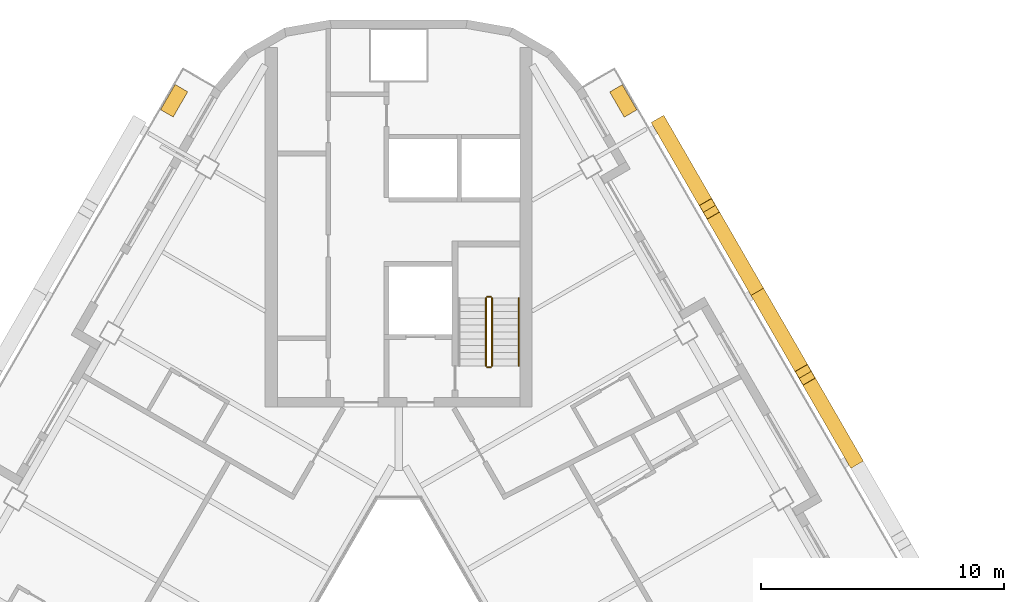
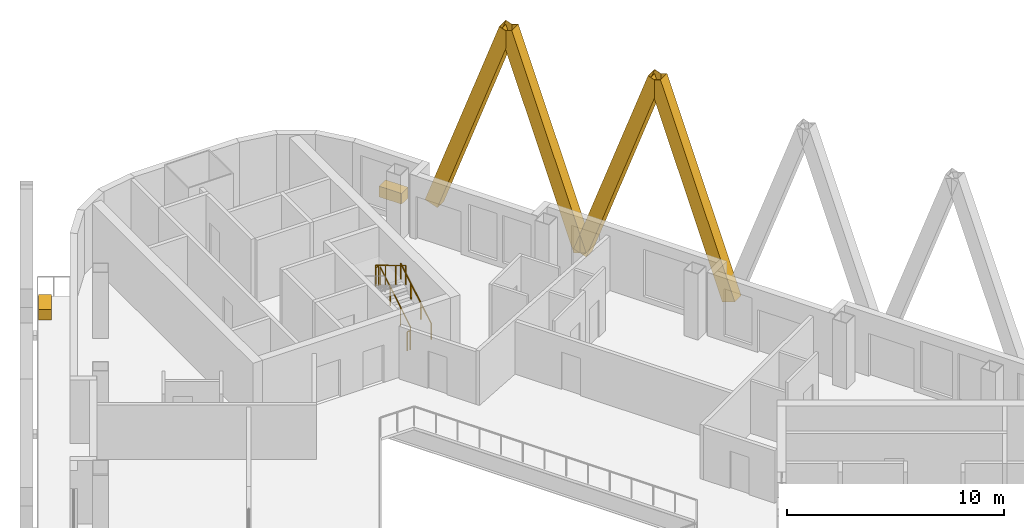
# One storey, part 14 of 14: 5 railings, 4 shading devices, 2 coverings.
"""IFC4 building model written with IfcOpenShell, lengths in metres."""

from ifc_helpers import new_model, si_unit, direction, frame, origin, origin_2d, place, context, subcontext, project, spatial, rectangle, hollow_rectangle, circle, extrude, material, material_profile, profile_set, type_object, element, save


model = new_model("IFC4")

# Units and contexts
model_context = context("Model", 3, precision=1e-05, world=origin(), true_north=direction((0.0, 1.0)))
body_context = subcontext(model_context, "Body", "Model", "MODEL_VIEW")
ifc_project = project(units=[si_unit("LENGTHUNIT", "METRE"), si_unit("AREAUNIT", "SQUARE_METRE"), si_unit("VOLUMEUNIT", "CUBIC_METRE"), si_unit("PLANEANGLEUNIT", "RADIAN"), si_unit("MASSUNIT", "GRAM", prefix="KILO")], contexts=[model_context])

# Site, building, storey
site_placement = place(None, origin())
site = spatial("IfcSite", under=ifc_project, at=site_placement, CompositionType="ELEMENT")
building_placement = place(site_placement, origin())
building = spatial("IfcBuilding", under=site, at=building_placement, Name="Apuvela Tower Hotel", CompositionType="ELEMENT")
storey_placement = place(building_placement, frame((0.0, 0.0, 213.199951171875)))
storey = spatial("IfcBuildingStorey", under=building, at=storey_placement, Name="L52", CompositionType="ELEMENT", Elevation=213.199951171875)

# Railings
ifc_material_1 = material(Name="Steel S275 balustrade", Category="steel")
railing_type_1 = type_object("IfcRailingType", Name="COR-GUARD-1100", PredefinedType="GUARDRAIL", material=ifc_material_1)
railing_1_placement = place(storey_placement, frame((3.85009765625, 14.60009765625, 0.168212890625)))
element("IfcRailing", 1, at=railing_1_placement, inside=storey, type_object=railing_type_1, Name="L52 ST1 stair guard 1", PredefinedType="GUARDRAIL", context=body_context, shape_type="SweptSolid", body=[
    extrude(rectangle(XDim=0.048095703125, YDim=0.048095703125, at=origin_2d()), frame((0.0, 0.0, 1.076171875), z_axis=(0.0, 0.857222391501, 0.514946377315), x_axis=(-1.0, 0.0, 0.0)), (0.0, 0.0, 1.0), 3.26611328125),
    extrude(rectangle(XDim=0.0419921875, YDim=0.0419921875, at=origin_2d()), origin(), (0.0, 0.0, 1.0), 1.052001953125),
    extrude(rectangle(XDim=0.0419921875, YDim=0.0419921875, at=origin_2d()), frame((0.0, 0.933349609375, 0.560546875)), (0.0, 0.0, 1.0), 1.052001953125),
    extrude(rectangle(XDim=0.0419921875, YDim=0.0419921875, at=origin_2d()), frame((0.0, 1.866455078125, 1.121337890625)), (0.0, 0.0, 1.0), 1.052001953125),
    extrude(rectangle(XDim=0.0419921875, YDim=0.0419921875, at=origin_2d()), frame((0.0, 2.7998046875, 1.681884765625)), (0.0, 0.0, 1.0), 1.052001953125),
])
railing_2_placement = place(storey_placement, frame((3.800048828125, 17.449951171875, 1.85009765625)))
element("IfcRailing", 2, at=railing_2_placement, inside=storey, type_object=railing_type_1, Name="L52 ST1 stair guard 2", PredefinedType="GUARDRAIL", context=body_context, shape_type="SweptSolid", body=[
    extrude(rectangle(XDim=0.048095703125, YDim=0.048095703125, at=origin_2d()), frame((0.0, 0.0, 1.076171875), z_axis=(-1.0, 0.0, 0.0), x_axis=(0.0, -1.0, 0.0)), (0.0, 0.0, 1.0), 0.150146484375),
    extrude(rectangle(XDim=0.0419921875, YDim=0.0419921875, at=origin_2d()), origin(), (0.0, 0.0, 1.0), 1.052001953125),
    extrude(rectangle(XDim=0.0419921875, YDim=0.0419921875, at=origin_2d()), frame((-0.150146484375, 0.0, 0.0)), (0.0, 0.0, 1.0), 1.052001953125),
])
railing_3_placement = place(storey_placement, frame((3.60009765625, 17.39990234375, 2.018310546875)))
element("IfcRailing", 3, at=railing_3_placement, inside=storey, type_object=railing_type_1, Name="L52 ST1 stair guard 3", PredefinedType="GUARDRAIL", context=body_context, shape_type="SweptSolid", body=[
    extrude(rectangle(XDim=0.048095703125, YDim=0.048095703125, at=origin_2d()), frame((0.0, 0.0, 1.076171875), z_axis=(0.0, -0.857255387014, 0.514891446264), x_axis=(1.0, 0.0, 0.0)), (0.0, 0.0, 1.0), 3.26611328125),
    extrude(rectangle(XDim=0.0419921875, YDim=0.0419921875, at=origin_2d()), origin(), (0.0, 0.0, 1.0), 1.052001953125),
    extrude(rectangle(XDim=0.0419921875, YDim=0.0419921875, at=origin_2d()), frame((0.0, -0.933349609375, 0.560546875)), (0.0, 0.0, 1.0), 1.052001953125),
    extrude(rectangle(XDim=0.0419921875, YDim=0.0419921875, at=origin_2d()), frame((0.0, -1.866455078125, 1.12109375)), (0.0, 0.0, 1.0), 1.052001953125),
    extrude(rectangle(XDim=0.0419921875, YDim=0.0419921875, at=origin_2d()), frame((0.0, -2.7998046875, 1.681640625)), (0.0, 0.0, 1.0), 1.052001953125),
])
railing_4_placement = place(storey_placement, frame((3.800048828125, 14.550048828125, 0.0)))
element("IfcRailing", 4, at=railing_4_placement, inside=storey, type_object=railing_type_1, Name="L52 ST1 stair guard 4", PredefinedType="GUARDRAIL", context=body_context, shape_type="SweptSolid", body=[
    extrude(rectangle(XDim=0.048095703125, YDim=0.048095703125, at=origin_2d()), frame((0.0, 0.0, 1.076171875), z_axis=(-1.0, 0.0, 0.0), x_axis=(0.0, -1.0, 0.0)), (0.0, 0.0, 1.0), 0.150146484375),
    extrude(rectangle(XDim=0.0419921875, YDim=0.0419921875, at=origin_2d()), origin(), (0.0, 0.0, 1.0), 1.052001953125),
    extrude(rectangle(XDim=0.0419921875, YDim=0.0419921875, at=origin_2d()), frame((-0.150146484375, 0.0, 0.0)), (0.0, 0.0, 1.0), 1.052001953125),
])
ifc_material_2 = material(Name="Stainless steel 316 handrail", Category="steel")
railing_type_2 = type_object("IfcRailingType", Name="COR-HANDRAIL-900", PredefinedType="HANDRAIL", material=ifc_material_2)
railing_5_placement = place(storey_placement, frame((4.949951171875, 14.60009765625, 0.168212890625)))
element("IfcRailing", 5, at=railing_5_placement, inside=storey, type_object=railing_type_2, Name="L52 ST1 stair handrail 1", PredefinedType="HANDRAIL", context=body_context, shape_type="SweptSolid", body=[
    extrude(circle(Radius=0.02392578125, at=origin_2d()), frame((0.0, 0.0, 0.8759765625), z_axis=(0.0, 0.857222391501, 0.514946377315), x_axis=(-1.0, 0.0, 0.0)), (0.0, 0.0, 1.0), 3.26611328125),
    extrude(rectangle(XDim=0.0419921875, YDim=0.0419921875, at=origin_2d()), origin(), (0.0, 0.0, 1.0), 0.851806640625),
    extrude(rectangle(XDim=0.0419921875, YDim=0.0419921875, at=origin_2d()), frame((0.0, 0.933349609375, 0.560546875)), (0.0, 0.0, 1.0), 0.851806640625),
    extrude(rectangle(XDim=0.0419921875, YDim=0.0419921875, at=origin_2d()), frame((0.0, 1.866455078125, 1.121337890625)), (0.0, 0.0, 1.0), 0.851806640625),
    extrude(rectangle(XDim=0.0419921875, YDim=0.0419921875, at=origin_2d()), frame((0.0, 2.7998046875, 1.681884765625)), (0.0, 0.0, 1.0), 0.851806640625),
])

# Shading devices
ifc_material_3 = material(Name="Aluminium 6063-T6, black anodised", Category="aluminium")
ifc_material_profile = material_profile(ifc_material_3, hollow_rectangle(XDim=0.60009765625, YDim=0.699951171875, WallThickness=0.011962890625, at=origin_2d()), Name="AL BOX 700x600x12")
ifc_profile_set = profile_set([ifc_material_profile], Name="Aluminium 6063-T6, black anodised")
shading_device_type = type_object("IfcShadingDeviceType", Name="ENV-FIN-700x600", PredefinedType="USERDEFINED", material=ifc_profile_set)
for number, where, z_axis, x_axis, name in (
    (6, (18.732177734375, 10.81494140625, -0.099853515625), (-0.167640025994, 0.290355011648, 0.942120368581), (-0.866020906874, -0.500007788796, 0.0), "Lattice fin NE485"),
    (7, (14.781982421875, 17.656494140625, -0.099853515625), (0.167641034607, -0.290336036574, 0.942126036888), (0.866005453737, 0.500034552904, 0.0), "Lattice fin NE486"),
    (8, (14.781982421875, 17.656494140625, -0.099853515625), (-0.167619886358, 0.290356020231, 0.94212364115), (-0.866047669374, -0.499961432884, 0.0), "Lattice fin NE487"),
    (9, (10.83203125, 24.498291015625, -0.099853515625), (0.167640025994, -0.290355011648, 0.942120368581), (0.866020906874, 0.500007788796, 0.0), "Lattice fin NE488"),
):
    element("IfcShadingDevice", number, at=place(storey_placement, frame(where, z_axis=z_axis, x_axis=x_axis)), inside=storey, type_object=shading_device_type, Name=name, ObjectType="FIN", PredefinedType="USERDEFINED", context=body_context, shape_type="SweptSolid", body=[
        extrude(hollow_rectangle(XDim=0.60009765625, YDim=0.699951171875, WallThickness=0.011962890625, at=origin_2d()), origin(), (0.0, 0.0, 1.0), 11.78173828125),
    ])

# Coverings
ifc_material_4 = material(Name="Planting substrate and soil, planted")
covering_type = type_object("IfcCoveringType", Name="ENV-PLANTER-1200x600", PredefinedType="USERDEFINED", material=ifc_material_4)
for number, where, z_axis, x_axis, name in (
    (10, (9.2578125, 25.52490234375, 0.0), (0.0, 0.0, 1.0), (-0.5, 0.866025403784, 0.0), "Planter NE3"),
    (11, (-9.253662109375, 25.5322265625, 0.0), (0.0, 0.0, 1.0), (-0.5, -0.866025403784, 0.0), "Planter NW4"),
):
    element("IfcCovering", number, at=place(storey_placement, frame(where, z_axis=z_axis, x_axis=x_axis)), inside=storey, type_object=covering_type, Name=name, ObjectType="PLANTER", PredefinedType="USERDEFINED", context=body_context, shape_type="SweptSolid", body=[
        extrude(rectangle(XDim=1.199951171875, YDim=0.60009765625, at=origin_2d()), origin(), (0.0, 0.0, 1.0), 0.60009765625),
    ])

save(model, "model.ifc")
